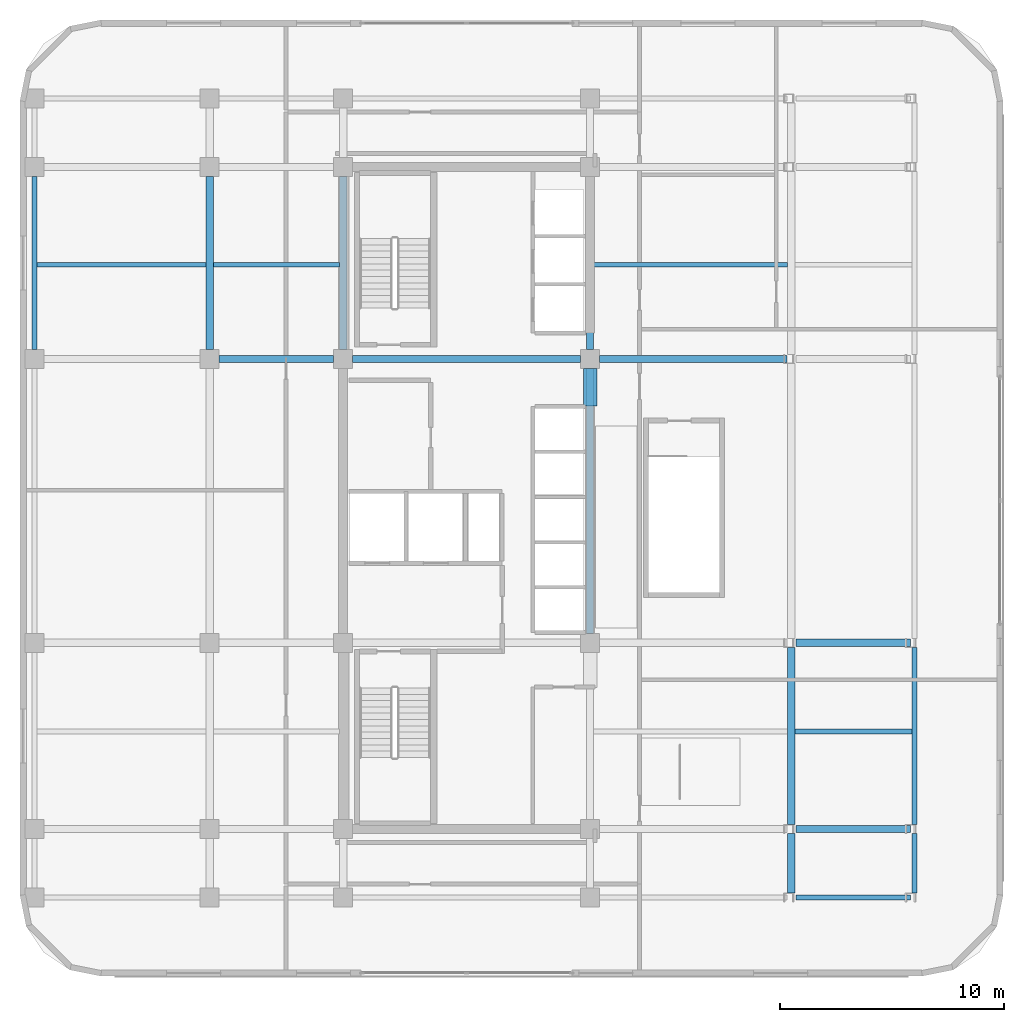
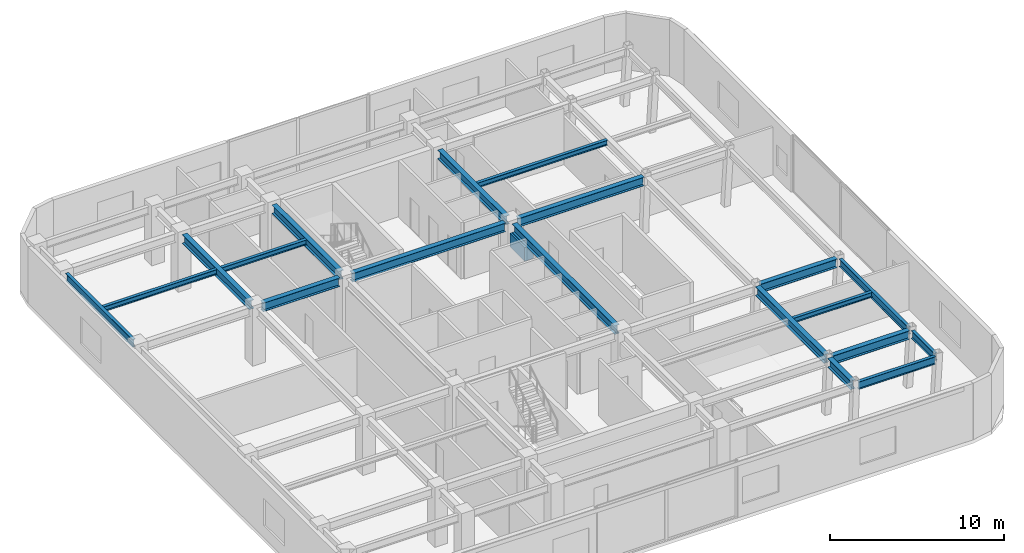
# One storey, part 3 of 12: 20 beams.
"""IFC4 building model written with IfcOpenShell, lengths in metres."""

from ifc_helpers import new_model, si_unit, direction, frame, origin, origin_2d, place, context, subcontext, project, spatial, rectangle, i_section, extrude, material, material_profile, profile_set, type_object, element, save


model = new_model("IFC4")

# Units and contexts
model_context = context("Model", 3, precision=1e-05, world=origin(), true_north=direction((0.0, 1.0)))
body_context = subcontext(model_context, "Body", "Model", "MODEL_VIEW")
ifc_project = project(units=[si_unit("LENGTHUNIT", "METRE"), si_unit("AREAUNIT", "SQUARE_METRE"), si_unit("VOLUMEUNIT", "CUBIC_METRE"), si_unit("PLANEANGLEUNIT", "RADIAN"), si_unit("MASSUNIT", "GRAM", prefix="KILO")], contexts=[model_context])

# Site, building, storey
site_placement = place(None, origin())
site = spatial("IfcSite", under=ifc_project, at=site_placement, CompositionType="ELEMENT")
building_placement = place(site_placement, origin())
building = spatial("IfcBuilding", under=site, at=building_placement, Name="Ochreholt Gables", CompositionType="ELEMENT")
storey_placement = place(building_placement, frame((0.0, 0.0, 117.0)))
storey = spatial("IfcBuildingStorey", under=building, at=storey_placement, Name="L30", CompositionType="ELEMENT", Elevation=117.0)

# Beams
ifc_material_1 = material(Name="Concrete 60 MPa", Category="concrete")
ifc_material_profile_1 = material_profile(ifc_material_1, rectangle(XDim=0.60009765625, YDim=0.949951171875, at=origin_2d()), Name="RCB600X950")
ifc_profile_set_1 = profile_set([ifc_material_profile_1], Name="Concrete 60 MPa")
beam_type_1 = type_object("IfcBeamType", Name="BM-CPL-RC600", PredefinedType="LINTEL", material=ifc_profile_set_1)
beam_1_placement = place(storey_placement, frame((35.199951171875, 28.10009765625, 2.8740234375), z_axis=(0.0, 1.0, 0.0), x_axis=(-1.0, 0.0, 0.0)))
element("IfcBeam", 1, at=beam_1_placement, inside=storey, type_object=beam_type_1, Name="L30 Core Coupling Lintel CPN", PredefinedType="LINTEL", context=body_context, shape_type="SweptSolid", body=[
    extrude(rectangle(XDim=0.60009765625, YDim=0.949951171875, at=origin_2d()), origin(), (0.0, 0.0, 1.0), 1.6748046875),
])
ifc_material_2 = material(Name="Steel CSA G40.21 350W", Category="steel")
ifc_material_profile_2 = material_profile(ifc_material_2, i_section(OverallWidth=0.323974609375, OverallDepth=0.611083984375, WebThickness=0.0126953125, FlangeThickness=0.01904296875, at=origin_2d()), Name="W610X155")
ifc_profile_set_2 = profile_set([ifc_material_profile_2], Name="Steel CSA G40.21 350W")
beam_type_2 = type_object("IfcBeamType", Name="BM-G-W610A", PredefinedType="BEAM", material=ifc_profile_set_2)
for number, where, z_axis, x_axis, name in (
    (2, (44.380615234375, 9.25, 3.654541015625), (1.0, 0.0, 0.0), (0.0, 1.0, 0.0), "L30 Beam TBG-L30-EMEE-Y2"),
    (3, (44.380615234375, 17.550048828125, 3.654541015625), (1.0, 0.0, 0.0), (0.0, 1.0, 0.0), "L30 Beam TBG-L30-EMEE-Y3"),
):
    element("IfcBeam", number, at=place(storey_placement, frame(where, z_axis=z_axis, x_axis=x_axis)), inside=storey, type_object=beam_type_2, Name=name, PredefinedType="BEAM", context=body_context, shape_type="SweptSolid", body=[
        extrude(i_section(OverallWidth=0.323974609375, OverallDepth=0.611083984375, WebThickness=0.0126953125, FlangeThickness=0.01904296875, at=origin_2d()), origin(), (0.0, 0.0, 1.0), 5.103271484375),
    ])
beam_2_placement = place(storey_placement, frame((18.674560546875, 30.199951171875, 3.654541015625), z_axis=(1.0, 0.0, 0.0), x_axis=(0.0, 1.0, 0.0)))
element("IfcBeam", 4, at=beam_2_placement, inside=storey, type_object=beam_type_2, Name="L30 Beam TBG-L30-W3C1-Y4", PredefinedType="BEAM", context=body_context, shape_type="SweptSolid", body=[
    extrude(i_section(OverallWidth=0.323974609375, OverallDepth=0.611083984375, WebThickness=0.0126953125, FlangeThickness=0.01904296875, at=origin_2d()), origin(), (0.0, 0.0, 1.0), 5.100830078125),
])
beam_3_placement = place(storey_placement, frame((24.62451171875, 30.199951171875, 3.654541015625), z_axis=(1.0, 0.0, 0.0), x_axis=(0.0, 1.0, 0.0)))
element("IfcBeam", 5, at=beam_3_placement, inside=storey, type_object=beam_type_2, Name="L30 Beam TBG-L30-C1C2-Y4", PredefinedType="BEAM", context=body_context, shape_type="SweptSolid", body=[
    extrude(i_section(OverallWidth=0.323974609375, OverallDepth=0.611083984375, WebThickness=0.0126953125, FlangeThickness=0.01904296875, at=origin_2d()), origin(), (0.0, 0.0, 1.0), 10.15087890625),
])
beam_4_placement = place(storey_placement, frame((35.62451171875, 30.199951171875, 3.654541015625), z_axis=(1.0, 0.0, 0.0), x_axis=(0.0, 1.0, 0.0)))
element("IfcBeam", 6, at=beam_4_placement, inside=storey, type_object=beam_type_2, Name="L30 Beam TBG-L30-C2EM-Y4", PredefinedType="BEAM", context=body_context, shape_type="SweptSolid", body=[
    extrude(i_section(OverallWidth=0.323974609375, OverallDepth=0.611083984375, WebThickness=0.0126953125, FlangeThickness=0.01904296875, at=origin_2d()), origin(), (0.0, 0.0, 1.0), 8.350830078125),
])
for number, where, z_axis, x_axis, name in (
    (7, (18.25, 30.62451171875, 3.654541015625), (0.0, 1.0, 0.0), (-1.0, 0.0, 0.0), "L30 Beam TBN-L30-W3-Y4Y5"),
    (8, (24.199951171875, 30.62451171875, 3.654541015625), (0.0, 1.0, 0.0), (-1.0, 0.0, 0.0), "L30 Beam TBN-L30-C1-Y4Y5"),
):
    element("IfcBeam", number, at=place(storey_placement, frame(where, z_axis=z_axis, x_axis=x_axis)), inside=storey, type_object=beam_type_2, Name=name, PredefinedType="BEAM", context=body_context, shape_type="SweptSolid", body=[
        extrude(i_section(OverallWidth=0.323974609375, OverallDepth=0.611083984375, WebThickness=0.0126953125, FlangeThickness=0.01904296875, at=origin_2d()), origin(), (0.0, 0.0, 1.0), 7.700927734375),
    ])
beam_5_placement = place(storey_placement, frame((35.199951171875, 17.974609375, 3.654541015625), z_axis=(0.0, 1.0, 0.0), x_axis=(-1.0, 0.0, 0.0)))
element("IfcBeam", 9, at=beam_5_placement, inside=storey, type_object=beam_type_2, Name="L30 Beam TBN-L30-C2-Y3Y4", PredefinedType="BEAM", context=body_context, shape_type="SweptSolid", body=[
    extrude(i_section(OverallWidth=0.323974609375, OverallDepth=0.611083984375, WebThickness=0.0126953125, FlangeThickness=0.01904296875, at=origin_2d()), origin(), (0.0, 0.0, 1.0), 11.80078125),
])
beam_6_placement = place(storey_placement, frame((35.199951171875, 30.62451171875, 3.654541015625), z_axis=(0.0, 1.0, 0.0), x_axis=(-1.0, 0.0, 0.0)))
element("IfcBeam", 10, at=beam_6_placement, inside=storey, type_object=beam_type_2, Name="L30 Beam TBN-L30-C2-Y4Y5", PredefinedType="BEAM", context=body_context, shape_type="SweptSolid", body=[
    extrude(i_section(OverallWidth=0.323974609375, OverallDepth=0.611083984375, WebThickness=0.0126953125, FlangeThickness=0.01904296875, at=origin_2d()), origin(), (0.0, 0.0, 1.0), 7.700927734375),
])
beam_7_placement = place(storey_placement, frame((44.160888671875, 6.402587890625, 3.654541015625), z_axis=(0.0, 1.0, 0.0), x_axis=(-1.0, 0.0, 0.0)))
element("IfcBeam", 11, at=beam_7_placement, inside=storey, type_object=beam_type_2, Name="L30 Beam TBN-L30-EM-Y1Y2", PredefinedType="BEAM", context=body_context, shape_type="SweptSolid", body=[
    extrude(i_section(OverallWidth=0.323974609375, OverallDepth=0.611083984375, WebThickness=0.0126953125, FlangeThickness=0.01904296875, at=origin_2d()), origin(), (0.0, 0.0, 1.0), 2.644775390625),
])
beam_8_placement = place(storey_placement, frame((44.160888671875, 9.45263671875, 3.654541015625), z_axis=(0.0, 1.0, 0.0), x_axis=(-1.0, 0.0, 0.0)))
element("IfcBeam", 12, at=beam_8_placement, inside=storey, type_object=beam_type_2, Name="L30 Beam TBN-L30-EM-Y2Y3", PredefinedType="BEAM", context=body_context, shape_type="SweptSolid", body=[
    extrude(i_section(OverallWidth=0.323974609375, OverallDepth=0.611083984375, WebThickness=0.0126953125, FlangeThickness=0.01904296875, at=origin_2d()), origin(), (0.0, 0.0, 1.0), 7.894775390625),
])
ifc_material_profile_3 = material_profile(ifc_material_2, i_section(OverallWidth=0.205078125, OverallDepth=0.35400390625, WebThickness=0.009521484375, FlangeThickness=0.016845703125, at=origin_2d()), Name="W360X79")
ifc_profile_set_3 = profile_set([ifc_material_profile_3], Name="Steel CSA G40.21 350W")
beam_type_3 = type_object("IfcBeamType", Name="BM-J-W360A", PredefinedType="JOIST", material=ifc_profile_set_3)
beam_9_placement = place(storey_placement, frame((44.322509765625, 13.60009765625, 3.782958984375), z_axis=(1.0, 0.0, 0.0), x_axis=(0.0, 1.0, 0.0)))
element("IfcBeam", 13, at=beam_9_placement, inside=storey, type_object=beam_type_3, Name="L30 Beam TBJ-L30-J1-EMEE", PredefinedType="JOIST", context=body_context, shape_type="SweptSolid", body=[
    extrude(i_section(OverallWidth=0.205078125, OverallDepth=0.35400390625, WebThickness=0.009521484375, FlangeThickness=0.016845703125, at=origin_2d()), origin(), (0.0, 0.0, 1.0), 5.2314453125),
])
beam_10_placement = place(storey_placement, frame((10.55419921875, 34.39990234375, 3.782958984375), z_axis=(1.0, 0.0, 0.0), x_axis=(0.0, 1.0, 0.0)))
element("IfcBeam", 14, at=beam_10_placement, inside=storey, type_object=beam_type_3, Name="L30 Beam TBJ-L30-J2-W2W3", PredefinedType="JOIST", context=body_context, shape_type="SweptSolid", body=[
    extrude(i_section(OverallWidth=0.205078125, OverallDepth=0.35400390625, WebThickness=0.009521484375, FlangeThickness=0.016845703125, at=origin_2d()), origin(), (0.0, 0.0, 1.0), 7.5341796875),
])
beam_11_placement = place(storey_placement, frame((18.41162109375, 34.39990234375, 3.782958984375), z_axis=(1.0, 0.0, 0.0), x_axis=(0.0, 1.0, 0.0)))
element("IfcBeam", 15, at=beam_11_placement, inside=storey, type_object=beam_type_3, Name="L30 Beam TBJ-L30-J2-W3C1", PredefinedType="JOIST", context=body_context, shape_type="SweptSolid", body=[
    extrude(i_section(OverallWidth=0.205078125, OverallDepth=0.35400390625, WebThickness=0.009521484375, FlangeThickness=0.016845703125, at=origin_2d()), origin(), (0.0, 0.0, 1.0), 5.626708984375),
])
beam_12_placement = place(storey_placement, frame((35.361572265625, 34.39990234375, 3.782958984375), z_axis=(1.0, 0.0, 0.0), x_axis=(0.0, 1.0, 0.0)))
element("IfcBeam", 16, at=beam_12_placement, inside=storey, type_object=beam_type_3, Name="L30 Beam TBJ-L30-J2-C2EM", PredefinedType="JOIST", context=body_context, shape_type="SweptSolid", body=[
    extrude(i_section(OverallWidth=0.205078125, OverallDepth=0.35400390625, WebThickness=0.009521484375, FlangeThickness=0.016845703125, at=origin_2d()), origin(), (0.0, 0.0, 1.0), 8.6376953125),
])
ifc_material_profile_4 = material_profile(ifc_material_2, i_section(OverallWidth=0.208984375, OverallDepth=0.532958984375, WebThickness=0.01025390625, FlangeThickness=0.015625, at=origin_2d()), Name="W530X92")
ifc_profile_set_4 = profile_set([ifc_material_profile_4], Name="Steel CSA G40.21 350W")
beam_type_4 = type_object("IfcBeamType", Name="BM-SP-W530B", PredefinedType="SPANDREL", material=ifc_profile_set_4)
beam_13_placement = place(storey_placement, frame((44.380615234375, 6.199951171875, 3.693603515625), z_axis=(1.0, 0.0, 0.0), x_axis=(0.0, 1.0, 0.0)))
element("IfcBeam", 17, at=beam_13_placement, inside=storey, type_object=beam_type_4, Name="L30 Beam TBG-L30-EMEE-Y1", PredefinedType="SPANDREL", context=body_context, shape_type="SweptSolid", body=[
    extrude(i_section(OverallWidth=0.208984375, OverallDepth=0.532958984375, WebThickness=0.01025390625, FlangeThickness=0.015625, at=origin_2d()), origin(), (0.0, 0.0, 1.0), 5.103271484375),
])
beam_14_placement = place(storey_placement, frame((10.449951171875, 30.62451171875, 3.693603515625), z_axis=(0.0, 1.0, 0.0), x_axis=(-1.0, 0.0, 0.0)))
element("IfcBeam", 18, at=beam_14_placement, inside=storey, type_object=beam_type_4, Name="L30 Beam TBN-L30-W2-Y4Y5", PredefinedType="SPANDREL", context=body_context, shape_type="SweptSolid", body=[
    extrude(i_section(OverallWidth=0.208984375, OverallDepth=0.532958984375, WebThickness=0.01025390625, FlangeThickness=0.015625, at=origin_2d()), origin(), (0.0, 0.0, 1.0), 7.700927734375),
])
beam_15_placement = place(storey_placement, frame((49.657958984375, 6.402587890625, 3.693603515625), z_axis=(0.0, 1.0, 0.0), x_axis=(-1.0, 0.0, 0.0)))
element("IfcBeam", 19, at=beam_15_placement, inside=storey, type_object=beam_type_4, Name="L30 Beam TBN-L30-EE-Y1Y2", PredefinedType="SPANDREL", context=body_context, shape_type="SweptSolid", body=[
    extrude(i_section(OverallWidth=0.208984375, OverallDepth=0.532958984375, WebThickness=0.01025390625, FlangeThickness=0.015625, at=origin_2d()), origin(), (0.0, 0.0, 1.0), 2.644775390625),
])
beam_16_placement = place(storey_placement, frame((49.657958984375, 9.45263671875, 3.693603515625), z_axis=(0.0, 1.0, 0.0), x_axis=(-1.0, 0.0, 0.0)))
element("IfcBeam", 20, at=beam_16_placement, inside=storey, type_object=beam_type_4, Name="L30 Beam TBN-L30-EE-Y2Y3", PredefinedType="SPANDREL", context=body_context, shape_type="SweptSolid", body=[
    extrude(i_section(OverallWidth=0.208984375, OverallDepth=0.532958984375, WebThickness=0.01025390625, FlangeThickness=0.015625, at=origin_2d()), origin(), (0.0, 0.0, 1.0), 7.894775390625),
])

save(model, "model.ifc")
